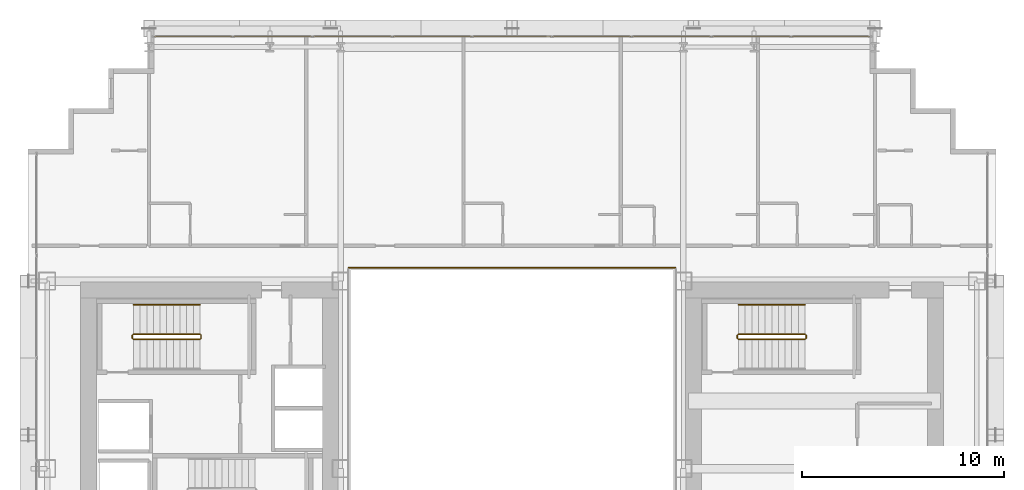
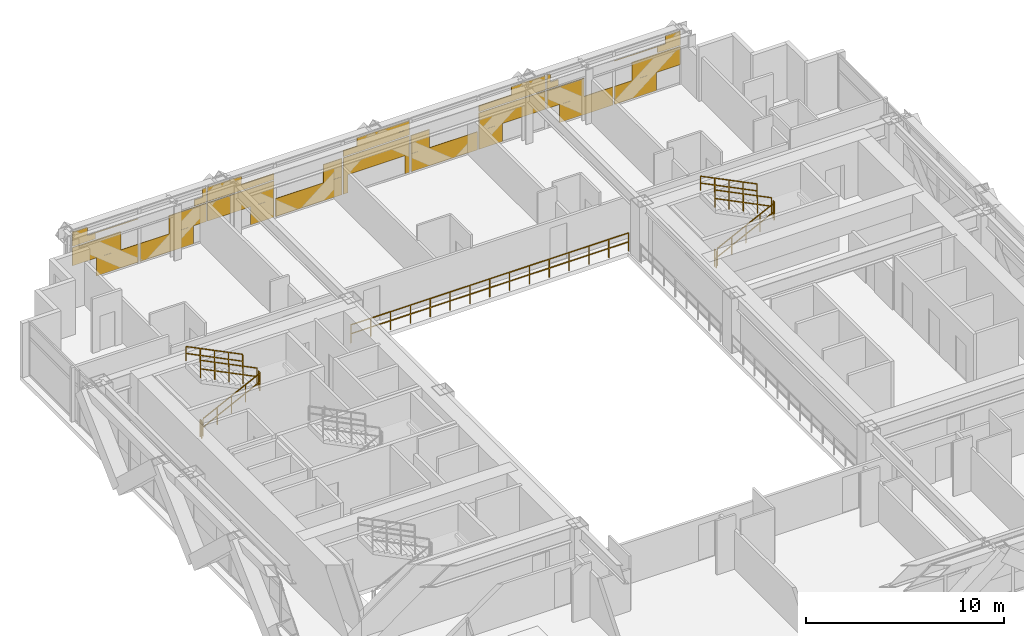
# One storey, part 38 of 38: 11 railings, 1 covering.
"""IFC4 building model written with IfcOpenShell, lengths in metres."""

import ifcopenshell
import ifcopenshell.guid

model = None  # the IFC model being written
_history = None  # IfcOwnerHistory: only IFC2X3 demands one
_inside = {}  # id of a spatial element -> (the spatial element, [elements in it])
_under = {}  # id of a project, library or spatial element -> (it, [spatial elements below it])
_declared = {}  # id of a project -> (the project, [libraries it declares])
_typed = {}  # id of a type object -> (the type object, [elements of that type])
_made_of = {}  # id of a material, layer set ... -> (it, [elements and type objects made of it])


def new_model(schema):
    """Start an empty IFC model of exactly this schema.

    Asked for "IFC4X3", IfcOpenShell would pick the latest addendum, in which some entities
    have other attributes; the version numbers below select the first issue.
    IFC2X3 requires an IfcOwnerHistory on every rooted entity: one is made here for all.
    """
    global model, _history
    if schema == "IFC4X3":
        model = ifcopenshell.file(schema_version=(4, 3, 0, 0))
    else:
        model = ifcopenshell.file(schema=schema)
    _inside.clear()
    _under.clear()
    _declared.clear()
    _typed.clear()
    _made_of.clear()
    _history = None
    if model.schema == "IFC2X3":
        org = make("IfcOrganization", Name="unknown")
        user = make(
            "IfcPersonAndOrganization",
            ThePerson=make("IfcPerson", FamilyName="unknown"),
            TheOrganization=org,
        )
        app = make(
            "IfcApplication",
            ApplicationDeveloper=org,
            Version="unknown",
            ApplicationFullName="unknown",
            ApplicationIdentifier="unknown",
        )
        _history = make(
            "IfcOwnerHistory",
            OwningUser=user,
            OwningApplication=app,
            ChangeAction="ADDED",
            CreationDate=0,
        )
    return model


def make(cls, **values):
    """One entity of the class cls with the attributes given. An attribute that is None is left unset."""
    return model.create_entity(
        cls, **{name: value for name, value in values.items() if value is not None}
    )


def rooted(cls, **values):
    """An entity with a GlobalId (a new one), such as an element, a storey or a relation."""
    return make(cls, GlobalId=ifcopenshell.guid.new(), OwnerHistory=_history, **values)


def si_unit(unit_type, name, prefix=None):
    """IfcSIUnit, for example si_unit("LENGTHUNIT", "METRE", prefix="MILLI")."""
    return make("IfcSIUnit", UnitType=unit_type, Prefix=prefix, Name=name)


def assignment(units):
    """IfcUnitAssignment: the units of a project."""
    return None if units is None else make("IfcUnitAssignment", Units=units)


def point(xyz):
    """IfcCartesianPoint."""
    return None if xyz is None else make("IfcCartesianPoint", Coordinates=xyz)


def direction(xyz):
    """IfcDirection."""
    return None if xyz is None else make("IfcDirection", DirectionRatios=xyz)


def frame(location, z_axis=None, x_axis=None):
    """IfcAxis2Placement3D, a coordinate frame: its origin and axes. An axis left out is left unset."""
    return make(
        "IfcAxis2Placement3D",
        Location=point(location),
        Axis=direction(z_axis),
        RefDirection=direction(x_axis),
    )


def frame_2d(location, x_axis=None):
    """IfcAxis2Placement2D, a coordinate frame in the plane: its origin and x axis."""
    return make(
        "IfcAxis2Placement2D", Location=point(location), RefDirection=direction(x_axis)
    )


def origin():
    """The frame at (0, 0, 0) with its axes left unset."""
    return frame((0.0, 0.0, 0.0))


def origin_2d():
    """The frame at (0, 0) in the plane with its x axis left unset."""
    return frame_2d((0.0, 0.0))


def place(relative_to, where):
    """IfcLocalPlacement: puts the frame where relative to a parent placement (None: the world)."""
    return make(
        "IfcLocalPlacement", PlacementRelTo=relative_to, RelativePlacement=where
    )


def context(
    kind, dimensions, precision=None, world=None, true_north=None, identifier=None
):
    """IfcGeometricRepresentationContext, for example the 3D "Model" context."""
    return make(
        "IfcGeometricRepresentationContext",
        ContextIdentifier=identifier,
        ContextType=kind,
        CoordinateSpaceDimension=dimensions,
        Precision=precision,
        WorldCoordinateSystem=world,
        TrueNorth=true_north,
    )


def subcontext(parent, identifier, kind, view, scale=None):
    """IfcGeometricRepresentationSubContext, for example "Body" below "Model"."""
    return make(
        "IfcGeometricRepresentationSubContext",
        ContextIdentifier=identifier,
        ContextType=kind,
        ParentContext=parent,
        TargetScale=scale,
        TargetView=view,
    )


def project(units=None, contexts=None):
    """IfcProject with its units and contexts."""
    return rooted(
        "IfcProject",
        Name="project",
        RepresentationContexts=contexts,
        UnitsInContext=assignment(units),
    )


def spatial(cls, under=None, at=None, **own):
    """A site, building, storey or space (cls), placed at a placement, below another one or the project."""
    s = rooted(cls, ObjectPlacement=at, **own)
    if under is not None:
        _under.setdefault(under.id(), (under, []))[1].append(s)
    return s


def profile(cls, at=None, kind="AREA", **sizes):
    """A parametric profile (cls). Its sizes go by their IFC names, for example OverallWidth=200.0."""
    return make(cls, ProfileType=kind, Position=at, **sizes)


def rectangle(**sizes):
    """IfcRectangleProfileDef."""
    return profile("IfcRectangleProfileDef", **sizes)


def extrude(swept, where, along, depth):
    """IfcExtrudedAreaSolid: the profile swept, set in the frame where, extruded along a direction by depth."""
    return make(
        "IfcExtrudedAreaSolid",
        SweptArea=swept,
        Position=where,
        ExtrudedDirection=direction(along),
        Depth=depth,
    )


def shape(context_of_items, identifier, shape_type, items):
    """IfcShapeRepresentation: the items that make up one representation, for example the "Body"."""
    return make(
        "IfcShapeRepresentation",
        ContextOfItems=context_of_items,
        RepresentationIdentifier=identifier,
        RepresentationType=shape_type,
        Items=items,
    )


def material(Name=None, Category=None):
    """IfcMaterial."""
    return make("IfcMaterial", Name=Name, Category=Category)


def layer(
    of_material, thickness, ventilated=None, Name=None, Category=None, Priority=None
):
    """IfcMaterialLayer: one layer of a wall or slab, of a material (None: an air gap)."""
    return make(
        "IfcMaterialLayer",
        Material=of_material,
        LayerThickness=thickness,
        IsVentilated=ventilated,
        Name=Name,
        Category=Category,
        Priority=Priority,
    )


def layer_set(layers, Name=None):
    """IfcMaterialLayerSet."""
    return make("IfcMaterialLayerSet", MaterialLayers=layers, LayerSetName=Name)


def made_of(thing, what):
    """Note that an element or type object is made of a material, layer set ...; save() writes the relation."""
    if what is not None:
        _made_of.setdefault(what.id(), (what, []))[1].append(thing)
    return thing


def type_object(cls, material=None, **own):
    """A type object (cls), such as IfcWallType, which elements share."""
    return made_of(rooted(cls, **own), material)


def element(
    cls,
    number,
    at=None,
    inside=None,
    cuts=None,
    type_object=None,
    material=None,
    context=None,
    identifier="Body",
    shape_type=None,
    held_by="IfcProductDefinitionShape",
    body=None,
    shapes=None,
    **own,
):
    """One element of the class cls, such as IfcWall. Its Tag is "e" and its number.

    at: its placement. inside: the storey or other place that contains it. cuts: it is an
    opening in that element (IfcRelVoidsElement). A single representation is given by context,
    identifier, shape_type and body (its items); several are given by shapes. held_by: the class
    of the entity that holds the representations. save() writes the other relations.
    """
    e = rooted(cls, Tag="e%d" % number, ObjectPlacement=at, **own)
    if body is not None:
        shapes = [shape(context, identifier, shape_type, body)]
    if shapes is not None:
        e.Representation = make(held_by, Representations=shapes)
    if inside is not None:
        _inside.setdefault(inside.id(), (inside, []))[1].append(e)
    if cuts is not None:
        rooted(
            "IfcRelVoidsElement", RelatingBuildingElement=cuts, RelatedOpeningElement=e
        )
    if type_object is not None:
        _typed.setdefault(type_object.id(), (type_object, []))[1].append(e)
    return made_of(e, material)


def aggregate(whole, parts):
    """IfcRelAggregates: a whole, such as a stair, and the parts it consists of."""
    return rooted("IfcRelAggregates", RelatingObject=whole, RelatedObjects=parts)


def save(model, path):
    """Write the relations noted so far, then the file.

    IfcRelAggregates (storeys below a building ...), IfcRelContainedInSpatialStructure (elements
    in a storey), IfcRelDefinesByType, IfcRelAssociatesMaterial and IfcRelDeclares: one each for
    every whole, place, type object, material and project.
    """
    for whole, parts in _under.values():
        aggregate(whole, parts)
    for where, things in _inside.values():
        rooted(
            "IfcRelContainedInSpatialStructure",
            RelatedElements=things,
            RelatingStructure=where,
        )
    for kind, things in _typed.values():
        rooted("IfcRelDefinesByType", RelatedObjects=things, RelatingType=kind)
    for what, things in _made_of.values():
        rooted("IfcRelAssociatesMaterial", RelatedObjects=things, RelatingMaterial=what)
    for by, libraries in _declared.values():
        rooted("IfcRelDeclares", RelatingContext=by, RelatedDefinitions=libraries)
    model.write(path)


model = new_model("IFC4")

# Units and contexts
model_context = context("Model", 3, precision=1e-05, world=origin(), true_north=direction((0.0, 1.0)))
body_context = subcontext(model_context, "Body", "Model", "MODEL_VIEW")
ifc_project = project(units=[si_unit("LENGTHUNIT", "METRE"), si_unit("AREAUNIT", "SQUARE_METRE"), si_unit("VOLUMEUNIT", "CUBIC_METRE"), si_unit("PLANEANGLEUNIT", "RADIAN"), si_unit("MASSUNIT", "GRAM", prefix="KILO")], contexts=[model_context])

# Site, building, storey
site_placement = place(None, origin())
site = spatial("IfcSite", under=ifc_project, at=site_placement, CompositionType="ELEMENT")
building_placement = place(site_placement, origin())
building = spatial("IfcBuilding", under=site, at=building_placement, Name="Ocotamira Hotel", CompositionType="ELEMENT")
storey_placement = place(building_placement, frame((0.0, 0.0, 60.0)))
storey = spatial("IfcBuildingStorey", under=building, at=storey_placement, Name="L14", CompositionType="ELEMENT", Elevation=60.0)

# Covering
ifc_material_1 = material(Name="Insulated pale-metal aluminium spandrel panel", Category="aluminium")
ifc_layer = layer(ifc_material_1, 0.044921875)
ifc_layer_set = layer_set([ifc_layer], Name="Insulated pale-metal aluminium spandrel panel")
covering_type = type_object("IfcCoveringType", Name="COV-INFILL-45", PredefinedType="CLADDING", material=ifc_layer_set)
covering_placement = place(storey_placement, origin())
element("IfcCovering", 1, at=covering_placement, inside=storey, type_object=covering_type, Name="L14 Curtain Wall Infill CW-2 CW-L14-N", PredefinedType="CLADDING", context=body_context, shape_type="SweptSolid", body=[
    extrude(rectangle(XDim=2.822265625, YDim=0.044921875, at=origin_2d()), frame((15.691650390625, 49.580078125, 1.1943359375), z_axis=(0.0, 0.0, 1.0), x_axis=(1.0, 0.0, 0.0)), (0.0, 0.0, 1.0), 1.11767578125),
    extrude(rectangle(XDim=2.4521484375, YDim=0.044921875, at=origin_2d()), frame((16.888916015625, 49.580078125, 0.07568359375), z_axis=(0.0, 0.0, 1.0), x_axis=(1.0, 0.0, 0.0)), (0.0, 0.0, 1.0), 1.11767578125),
    extrude(rectangle(XDim=1.330078125, YDim=0.044921875, at=origin_2d()), frame((14.945556640625, 49.580078125, 2.38818359375), z_axis=(0.0, 0.0, 1.0), x_axis=(1.0, 0.0, 0.0)), (0.0, 0.0, 1.0), 0.344482421875),
    extrude(rectangle(XDim=3.834716796875, YDim=0.044921875, at=origin_2d()), frame((16.19775390625, 49.580078125, 2.7333984375), z_axis=(0.0, 0.0, 1.0), x_axis=(1.0, 0.0, 0.0)), (0.0, 0.0, 1.0), 0.0302734375),
    extrude(rectangle(XDim=0.859130859375, YDim=0.044921875, at=origin_2d()), frame((14.7099609375, 49.580078125, 2.7646484375), z_axis=(0.0, 0.0, 1.0), x_axis=(1.0, 0.0, 0.0)), (0.0, 0.0, 1.0), 0.509765625),
    extrude(rectangle(XDim=3.14111328125, YDim=0.044921875, at=origin_2d()), frame((19.7666015625, 49.580078125, 0.07568359375), z_axis=(0.0, 0.0, 1.0), x_axis=(1.0, 0.0, 0.0)), (0.0, 0.0, 1.0), 1.11767578125),
    extrude(rectangle(XDim=2.17333984375, YDim=0.044921875, at=origin_2d()), frame((20.98388671875, 49.580078125, 1.1943359375), z_axis=(0.0, 0.0, 1.0), x_axis=(1.0, 0.0, 0.0)), (0.0, 0.0, 1.0), 1.11767578125),
    extrude(rectangle(XDim=0.68115234375, YDim=0.044921875, at=origin_2d()), frame((21.72998046875, 49.580078125, 2.38818359375), z_axis=(0.0, 0.0, 1.0), x_axis=(1.0, 0.0, 0.0)), (0.0, 0.0, 1.0), 0.375732421875),
    extrude(rectangle(XDim=0.210205078125, YDim=0.044921875, at=origin_2d()), frame((21.965576171875, 49.580078125, 2.7646484375), z_axis=(0.0, 0.0, 1.0), x_axis=(1.0, 0.0, 0.0)), (0.0, 0.0, 1.0), 0.509765625),
    extrude(rectangle(XDim=3.87451171875, YDim=0.044921875, at=origin_2d()), frame((24.0888671875, 49.580078125, 1.1943359375), z_axis=(0.0, 0.0, 1.0), x_axis=(1.0, 0.0, 0.0)), (0.0, 0.0, 1.0), 1.11767578125),
    extrude(rectangle(XDim=1.36328125, YDim=0.044921875, at=origin_2d()), frame((25.344482421875, 49.580078125, 0.07568359375), z_axis=(0.0, 0.0, 1.0), x_axis=(1.0, 0.0, 0.0)), (0.0, 0.0, 1.0), 1.11767578125),
    extrude(rectangle(XDim=3.87451171875, YDim=0.044921875, at=origin_2d()), frame((24.0888671875, 49.580078125, 2.38818359375), z_axis=(0.0, 0.0, 1.0), x_axis=(1.0, 0.0, 0.0)), (0.0, 0.0, 1.0), 0.375732421875),
    extrude(rectangle(XDim=1.988037109375, YDim=0.044921875, at=origin_2d()), frame((23.1455078125, 49.580078125, 2.7646484375), z_axis=(0.0, 0.0, 1.0), x_axis=(1.0, 0.0, 0.0)), (0.0, 0.0, 1.0), 0.509765625),
    extrude(rectangle(XDim=3.87451171875, YDim=0.044921875, at=origin_2d()), frame((28.04443359375, 49.580078125, 0.07568359375), z_axis=(0.0, 0.0, 1.0), x_axis=(1.0, 0.0, 0.0)), (0.0, 0.0, 1.0), 1.11767578125),
    extrude(rectangle(XDim=1.08447265625, YDim=0.044921875, at=origin_2d()), frame((29.439453125, 49.580078125, 1.1943359375), z_axis=(0.0, 0.0, 1.0), x_axis=(1.0, 0.0, 0.0)), (0.0, 0.0, 1.0), 1.11767578125),
    extrude(rectangle(XDim=0.2744140625, YDim=0.044921875, at=origin_2d()), frame((30.199951171875, 49.580078125, 0.07568359375), z_axis=(0.0, 0.0, 1.0), x_axis=(1.0, 0.0, 0.0)), (0.0, 0.0, 1.0), 1.11767578125),
    extrude(rectangle(XDim=3.87451171875, YDim=0.044921875, at=origin_2d()), frame((32.0, 49.580078125, 1.1943359375), z_axis=(0.0, 0.0, 1.0), x_axis=(1.0, 0.0, 0.0)), (0.0, 0.0, 1.0), 1.11767578125),
    extrude(rectangle(XDim=0.2744140625, YDim=0.044921875, at=origin_2d()), frame((33.800048828125, 49.580078125, 0.07568359375), z_axis=(0.0, 0.0, 1.0), x_axis=(1.0, 0.0, 0.0)), (0.0, 0.0, 1.0), 1.11767578125),
    extrude(rectangle(XDim=3.87451171875, YDim=0.044921875, at=origin_2d()), frame((32.0, 49.580078125, 2.38818359375), z_axis=(0.0, 0.0, 1.0), x_axis=(1.0, 0.0, 0.0)), (0.0, 0.0, 1.0), 0.375732421875),
    extrude(rectangle(XDim=3.076904296875, YDim=0.044921875, at=origin_2d()), frame((32.39892578125, 49.580078125, 2.7646484375), z_axis=(0.0, 0.0, 1.0), x_axis=(1.0, 0.0, 0.0)), (0.0, 0.0, 1.0), 0.509765625),
    extrude(rectangle(XDim=3.87451171875, YDim=0.044921875, at=origin_2d()), frame((35.95556640625, 49.580078125, 0.07568359375), z_axis=(0.0, 0.0, 1.0), x_axis=(1.0, 0.0, 0.0)), (0.0, 0.0, 1.0), 1.11767578125),
    extrude(rectangle(XDim=1.08447265625, YDim=0.044921875, at=origin_2d()), frame((34.560546875, 49.580078125, 1.1943359375), z_axis=(0.0, 0.0, 1.0), x_axis=(1.0, 0.0, 0.0)), (0.0, 0.0, 1.0), 1.11767578125),
    extrude(rectangle(XDim=1.36328125, YDim=0.044921875, at=origin_2d()), frame((38.655517578125, 49.580078125, 0.07568359375), z_axis=(0.0, 0.0, 1.0), x_axis=(1.0, 0.0, 0.0)), (0.0, 0.0, 1.0), 1.11767578125),
    extrude(rectangle(XDim=3.87451171875, YDim=0.044921875, at=origin_2d()), frame((39.9111328125, 49.580078125, 1.1943359375), z_axis=(0.0, 0.0, 1.0), x_axis=(1.0, 0.0, 0.0)), (0.0, 0.0, 1.0), 1.11767578125),
    extrude(rectangle(XDim=3.87451171875, YDim=0.044921875, at=origin_2d()), frame((39.9111328125, 49.580078125, 2.38818359375), z_axis=(0.0, 0.0, 1.0), x_axis=(1.0, 0.0, 0.0)), (0.0, 0.0, 1.0), 0.375732421875),
    extrude(rectangle(XDim=1.988037109375, YDim=0.044921875, at=origin_2d()), frame((40.8544921875, 49.580078125, 2.7646484375), z_axis=(0.0, 0.0, 1.0), x_axis=(1.0, 0.0, 0.0)), (0.0, 0.0, 1.0), 0.509765625),
    extrude(rectangle(XDim=2.17333984375, YDim=0.044921875, at=origin_2d()), frame((43.01611328125, 49.580078125, 1.1943359375), z_axis=(0.0, 0.0, 1.0), x_axis=(1.0, 0.0, 0.0)), (0.0, 0.0, 1.0), 1.11767578125),
    extrude(rectangle(XDim=3.14111328125, YDim=0.044921875, at=origin_2d()), frame((44.2333984375, 49.580078125, 0.07568359375), z_axis=(0.0, 0.0, 1.0), x_axis=(1.0, 0.0, 0.0)), (0.0, 0.0, 1.0), 1.11767578125),
    extrude(rectangle(XDim=0.68115234375, YDim=0.044921875, at=origin_2d()), frame((42.27001953125, 49.580078125, 2.38818359375), z_axis=(0.0, 0.0, 1.0), x_axis=(1.0, 0.0, 0.0)), (0.0, 0.0, 1.0), 0.375732421875),
    extrude(rectangle(XDim=0.210205078125, YDim=0.044921875, at=origin_2d()), frame((42.034423828125, 49.580078125, 2.7646484375), z_axis=(0.0, 0.0, 1.0), x_axis=(1.0, 0.0, 0.0)), (0.0, 0.0, 1.0), 0.509765625),
    extrude(rectangle(XDim=2.4521484375, YDim=0.044921875, at=origin_2d()), frame((47.111083984375, 49.580078125, 0.07568359375), z_axis=(0.0, 0.0, 1.0), x_axis=(1.0, 0.0, 0.0)), (0.0, 0.0, 1.0), 1.11767578125),
    extrude(rectangle(XDim=2.822265625, YDim=0.044921875, at=origin_2d()), frame((48.308349609375, 49.580078125, 1.1943359375), z_axis=(0.0, 0.0, 1.0), x_axis=(1.0, 0.0, 0.0)), (0.0, 0.0, 1.0), 1.11767578125),
    extrude(rectangle(XDim=3.834716796875, YDim=0.044921875, at=origin_2d()), frame((47.80224609375, 49.580078125, 2.7333984375), z_axis=(0.0, 0.0, 1.0), x_axis=(1.0, 0.0, 0.0)), (0.0, 0.0, 1.0), 0.0302734375),
    extrude(rectangle(XDim=1.330078125, YDim=0.044921875, at=origin_2d()), frame((49.054443359375, 49.580078125, 2.38818359375), z_axis=(0.0, 0.0, 1.0), x_axis=(1.0, 0.0, 0.0)), (0.0, 0.0, 1.0), 0.344482421875),
    extrude(rectangle(XDim=0.859130859375, YDim=0.044921875, at=origin_2d()), frame((49.2900390625, 49.580078125, 2.7646484375), z_axis=(0.0, 0.0, 1.0), x_axis=(1.0, 0.0, 0.0)), (0.0, 0.0, 1.0), 0.509765625),
])

# Railings
ifc_material_2 = material(Name="Painted steel stair guardrail", Category="steel")
railing_type_1 = type_object("IfcRailingType", Name="RL-EDGE-1150", PredefinedType="GUARDRAIL", material=ifc_material_2)
railing_1_placement = place(storey_placement, frame((40.10009765625, 38.1201171875, 0.0)))
element("IfcRailing", 2, at=railing_1_placement, inside=storey, type_object=railing_type_1, Name="L14 Central Atrium Edge Guardrail N", PredefinedType="GUARDRAIL", context=body_context, shape_type="SweptSolid", body=[
    extrude(rectangle(XDim=0.048095703125, YDim=0.048095703125, at=origin_2d()), frame((0.0, 0.0, 1.1259765625), z_axis=(-1.0, 0.0, 0.0), x_axis=(0.0, -1.0, 0.0)), (0.0, 0.0, 1.0), 16.2001953125),
    extrude(rectangle(XDim=0.048095703125, YDim=0.048095703125, at=origin_2d()), frame((0.0, 0.0, 0.574951171875), z_axis=(-1.0, 0.0, 0.0), x_axis=(0.0, -1.0, 0.0)), (0.0, 0.0, 1.0), 16.2001953125),
    extrude(rectangle(XDim=0.0419921875, YDim=0.0419921875, at=origin_2d()), origin(), (0.0, 0.0, 1.0), 1.101806640625),
    extrude(rectangle(XDim=0.0419921875, YDim=0.0419921875, at=origin_2d()), frame((-1.1572265625, 0.0, 0.0)), (0.0, 0.0, 1.0), 1.101806640625),
    extrude(rectangle(XDim=0.0419921875, YDim=0.0419921875, at=origin_2d()), frame((-2.314208984375, 0.0, 0.0)), (0.0, 0.0, 1.0), 1.101806640625),
    extrude(rectangle(XDim=0.0419921875, YDim=0.0419921875, at=origin_2d()), frame((-3.471435546875, 0.0, 0.0)), (0.0, 0.0, 1.0), 1.101806640625),
    extrude(rectangle(XDim=0.0419921875, YDim=0.0419921875, at=origin_2d()), frame((-4.628662109375, 0.0, 0.0)), (0.0, 0.0, 1.0), 1.101806640625),
    extrude(rectangle(XDim=0.0419921875, YDim=0.0419921875, at=origin_2d()), frame((-5.785888671875, 0.0, 0.0)), (0.0, 0.0, 1.0), 1.101806640625),
    extrude(rectangle(XDim=0.0419921875, YDim=0.0419921875, at=origin_2d()), frame((-6.94287109375, 0.0, 0.0)), (0.0, 0.0, 1.0), 1.101806640625),
    extrude(rectangle(XDim=0.0419921875, YDim=0.0419921875, at=origin_2d()), frame((-8.10009765625, 0.0, 0.0)), (0.0, 0.0, 1.0), 1.101806640625),
    extrude(rectangle(XDim=0.0419921875, YDim=0.0419921875, at=origin_2d()), frame((-9.25732421875, 0.0, 0.0)), (0.0, 0.0, 1.0), 1.101806640625),
    extrude(rectangle(XDim=0.0419921875, YDim=0.0419921875, at=origin_2d()), frame((-10.414306640625, 0.0, 0.0)), (0.0, 0.0, 1.0), 1.101806640625),
    extrude(rectangle(XDim=0.0419921875, YDim=0.0419921875, at=origin_2d()), frame((-11.571533203125, 0.0, 0.0)), (0.0, 0.0, 1.0), 1.101806640625),
    extrude(rectangle(XDim=0.0419921875, YDim=0.0419921875, at=origin_2d()), frame((-12.728759765625, 0.0, 0.0)), (0.0, 0.0, 1.0), 1.101806640625),
    extrude(rectangle(XDim=0.0419921875, YDim=0.0419921875, at=origin_2d()), frame((-13.885986328125, 0.0, 0.0)), (0.0, 0.0, 1.0), 1.101806640625),
    extrude(rectangle(XDim=0.0419921875, YDim=0.0419921875, at=origin_2d()), frame((-15.04296875, 0.0, 0.0)), (0.0, 0.0, 1.0), 1.101806640625),
    extrude(rectangle(XDim=0.0419921875, YDim=0.0419921875, at=origin_2d()), frame((-16.2001953125, 0.0, 0.0)), (0.0, 0.0, 1.0), 1.101806640625),
])
ifc_material_3 = material(Name="Brushed stainless steel handrail", Category="steel")
railing_type_2 = type_object("IfcRailingType", Name="RL-HAND-900", PredefinedType="HANDRAIL", material=ifc_material_3)
for number, where, name in (
    (3, (16.530029296875, 36.280029296875, 2.127197265625), "L14 ST-2 stair handrail 2"),
    (4, (46.530029296875, 36.280029296875, 2.127197265625), "L14 ST-4 stair handrail 2"),
):
    element("IfcRailing", number, at=place(storey_placement, frame(where)), inside=storey, type_object=railing_type_2, Name=name, PredefinedType="HANDRAIL", context=body_context, shape_type="SweptSolid", body=[
        extrude(rectangle(XDim=0.048095703125, YDim=0.048095703125, at=origin_2d()), frame((0.0, 0.0, 0.8759765625), z_axis=(-0.895893744519, 0.0, 0.4442683857), x_axis=(0.0, -1.0, 0.0)), (0.0, 0.0, 1.0), 3.68359375),
        extrude(rectangle(XDim=0.048095703125, YDim=0.048095703125, at=origin_2d()), frame((0.0, 0.0, 0.449951171875), z_axis=(-0.895893744519, 0.0, 0.4442683857), x_axis=(0.0, -1.0, 0.0)), (0.0, 0.0, 1.0), 3.68359375),
        extrude(rectangle(XDim=0.0419921875, YDim=0.0419921875, at=origin_2d()), origin(), (0.0, 0.0, 1.0), 0.851806640625),
        extrude(rectangle(XDim=0.0419921875, YDim=0.0419921875, at=origin_2d()), frame((-0.824951171875, 0.0, 0.4091796875)), (0.0, 0.0, 1.0), 0.851806640625),
        extrude(rectangle(XDim=0.0419921875, YDim=0.0419921875, at=origin_2d()), frame((-1.64990234375, 0.0, 0.818359375)), (0.0, 0.0, 1.0), 0.851806640625),
        extrude(rectangle(XDim=0.0419921875, YDim=0.0419921875, at=origin_2d()), frame((-2.47509765625, 0.0, 1.227294921875)), (0.0, 0.0, 1.0), 0.851806640625),
        extrude(rectangle(XDim=0.0419921875, YDim=0.0419921875, at=origin_2d()), frame((-3.300048828125, 0.0, 1.636474609375)), (0.0, 0.0, 1.0), 0.851806640625),
    ])
railing_type_3 = type_object("IfcRailingType", Name="RL-STAIR-1100", PredefinedType="GUARDRAIL", material=ifc_material_2)
railing_2_placement = place(storey_placement, frame((13.22998046875, 34.56005859375, 0.16357421875)))
element("IfcRailing", 5, at=railing_2_placement, inside=storey, type_object=railing_type_3, Name="L14 ST-2 stair guard 1", PredefinedType="GUARDRAIL", context=body_context, shape_type="SweptSolid", body=[
    extrude(rectangle(XDim=0.048095703125, YDim=0.048095703125, at=origin_2d()), frame((0.0, 0.0, 1.076171875), z_axis=(0.895893744519, 0.0, 0.4442683857), x_axis=(0.0, 1.0, 0.0)), (0.0, 0.0, 1.0), 3.68359375),
    extrude(rectangle(XDim=0.048095703125, YDim=0.048095703125, at=origin_2d()), frame((0.0, 0.0, 0.550048828125), z_axis=(0.895893744519, 0.0, 0.4442683857), x_axis=(0.0, 1.0, 0.0)), (0.0, 0.0, 1.0), 3.68359375),
    extrude(rectangle(XDim=0.0419921875, YDim=0.0419921875, at=origin_2d()), origin(), (0.0, 0.0, 1.0), 1.052001953125),
    extrude(rectangle(XDim=0.0419921875, YDim=0.0419921875, at=origin_2d()), frame((0.824951171875, 0.0, 0.4091796875)), (0.0, 0.0, 1.0), 1.052001953125),
    extrude(rectangle(XDim=0.0419921875, YDim=0.0419921875, at=origin_2d()), frame((1.64990234375, 0.0, 0.818359375)), (0.0, 0.0, 1.0), 1.052001953125),
    extrude(rectangle(XDim=0.0419921875, YDim=0.0419921875, at=origin_2d()), frame((2.47509765625, 0.0, 1.227294921875)), (0.0, 0.0, 1.0), 1.052001953125),
    extrude(rectangle(XDim=0.0419921875, YDim=0.0419921875, at=origin_2d()), frame((3.300048828125, 0.0, 1.636474609375)), (0.0, 0.0, 1.0), 1.052001953125),
])
railing_3_placement = place(storey_placement, frame((16.580078125, 34.610107421875, 1.800048828125)))
element("IfcRailing", 6, at=railing_3_placement, inside=storey, type_object=railing_type_3, Name="L14 ST-2 stair guard 2", PredefinedType="GUARDRAIL", context=body_context, shape_type="SweptSolid", body=[
    extrude(rectangle(XDim=0.048095703125, YDim=0.048095703125, at=origin_2d()), frame((0.0, 0.0, 1.076171875), z_axis=(0.0, 1.0, 0.0), x_axis=(-1.0, 0.0, 0.0)), (0.0, 0.0, 1.0), 0.159912109375),
    extrude(rectangle(XDim=0.048095703125, YDim=0.048095703125, at=origin_2d()), frame((0.0, 0.0, 0.550048828125), z_axis=(0.0, 1.0, 0.0), x_axis=(-1.0, 0.0, 0.0)), (0.0, 0.0, 1.0), 0.159912109375),
    extrude(rectangle(XDim=0.0419921875, YDim=0.0419921875, at=origin_2d()), origin(), (0.0, 0.0, 1.0), 1.052001953125),
    extrude(rectangle(XDim=0.0419921875, YDim=0.0419921875, at=origin_2d()), frame((0.0, 0.159912109375, 0.0)), (0.0, 0.0, 1.0), 1.052001953125),
])
railing_4_placement = place(storey_placement, frame((16.530029296875, 34.820068359375, 1.963623046875)))
element("IfcRailing", 7, at=railing_4_placement, inside=storey, type_object=railing_type_3, Name="L14 ST-2 stair guard 3", PredefinedType="GUARDRAIL", context=body_context, shape_type="SweptSolid", body=[
    extrude(rectangle(XDim=0.048095703125, YDim=0.048095703125, at=origin_2d()), frame((0.0, 0.0, 1.076171875), z_axis=(-0.895893744519, 0.0, 0.4442683857), x_axis=(0.0, -1.0, 0.0)), (0.0, 0.0, 1.0), 3.68359375),
    extrude(rectangle(XDim=0.048095703125, YDim=0.048095703125, at=origin_2d()), frame((0.0, 0.0, 0.550048828125), z_axis=(-0.895893744519, 0.0, 0.4442683857), x_axis=(0.0, -1.0, 0.0)), (0.0, 0.0, 1.0), 3.68359375),
    extrude(rectangle(XDim=0.0419921875, YDim=0.0419921875, at=origin_2d()), origin(), (0.0, 0.0, 1.0), 1.052001953125),
    extrude(rectangle(XDim=0.0419921875, YDim=0.0419921875, at=origin_2d()), frame((-0.824951171875, 0.0, 0.4091796875)), (0.0, 0.0, 1.0), 1.052001953125),
    extrude(rectangle(XDim=0.0419921875, YDim=0.0419921875, at=origin_2d()), frame((-1.64990234375, 0.0, 0.818359375)), (0.0, 0.0, 1.0), 1.052001953125),
    extrude(rectangle(XDim=0.0419921875, YDim=0.0419921875, at=origin_2d()), frame((-2.47509765625, 0.0, 1.227294921875)), (0.0, 0.0, 1.0), 1.052001953125),
    extrude(rectangle(XDim=0.0419921875, YDim=0.0419921875, at=origin_2d()), frame((-3.300048828125, 0.0, 1.636474609375)), (0.0, 0.0, 1.0), 1.052001953125),
])
railing_5_placement = place(storey_placement, frame((13.179931640625, 34.610107421875, 0.0)))
element("IfcRailing", 8, at=railing_5_placement, inside=storey, type_object=railing_type_3, Name="L14 ST-2 stair guard 4", PredefinedType="GUARDRAIL", context=body_context, shape_type="SweptSolid", body=[
    extrude(rectangle(XDim=0.048095703125, YDim=0.048095703125, at=origin_2d()), frame((0.0, 0.0, 1.076171875), z_axis=(0.0, 1.0, 0.0), x_axis=(-1.0, 0.0, 0.0)), (0.0, 0.0, 1.0), 0.159912109375),
    extrude(rectangle(XDim=0.048095703125, YDim=0.048095703125, at=origin_2d()), frame((0.0, 0.0, 0.550048828125), z_axis=(0.0, 1.0, 0.0), x_axis=(-1.0, 0.0, 0.0)), (0.0, 0.0, 1.0), 0.159912109375),
    extrude(rectangle(XDim=0.0419921875, YDim=0.0419921875, at=origin_2d()), origin(), (0.0, 0.0, 1.0), 1.052001953125),
    extrude(rectangle(XDim=0.0419921875, YDim=0.0419921875, at=origin_2d()), frame((0.0, 0.159912109375, 0.0)), (0.0, 0.0, 1.0), 1.052001953125),
])
railing_6_placement = place(storey_placement, frame((43.22998046875, 34.56005859375, 0.16357421875)))
element("IfcRailing", 9, at=railing_6_placement, inside=storey, type_object=railing_type_3, Name="L14 ST-4 stair guard 1", PredefinedType="GUARDRAIL", context=body_context, shape_type="SweptSolid", body=[
    extrude(rectangle(XDim=0.048095703125, YDim=0.048095703125, at=origin_2d()), frame((0.0, 0.0, 1.076171875), z_axis=(0.895893744519, 0.0, 0.4442683857), x_axis=(0.0, 1.0, 0.0)), (0.0, 0.0, 1.0), 3.68359375),
    extrude(rectangle(XDim=0.048095703125, YDim=0.048095703125, at=origin_2d()), frame((0.0, 0.0, 0.550048828125), z_axis=(0.895893744519, 0.0, 0.4442683857), x_axis=(0.0, 1.0, 0.0)), (0.0, 0.0, 1.0), 3.68359375),
    extrude(rectangle(XDim=0.0419921875, YDim=0.0419921875, at=origin_2d()), origin(), (0.0, 0.0, 1.0), 1.052001953125),
    extrude(rectangle(XDim=0.0419921875, YDim=0.0419921875, at=origin_2d()), frame((0.824951171875, 0.0, 0.4091796875)), (0.0, 0.0, 1.0), 1.052001953125),
    extrude(rectangle(XDim=0.0419921875, YDim=0.0419921875, at=origin_2d()), frame((1.64990234375, 0.0, 0.818359375)), (0.0, 0.0, 1.0), 1.052001953125),
    extrude(rectangle(XDim=0.0419921875, YDim=0.0419921875, at=origin_2d()), frame((2.47509765625, 0.0, 1.227294921875)), (0.0, 0.0, 1.0), 1.052001953125),
    extrude(rectangle(XDim=0.0419921875, YDim=0.0419921875, at=origin_2d()), frame((3.300048828125, 0.0, 1.636474609375)), (0.0, 0.0, 1.0), 1.052001953125),
])
railing_7_placement = place(storey_placement, frame((46.580078125, 34.610107421875, 1.800048828125)))
element("IfcRailing", 10, at=railing_7_placement, inside=storey, type_object=railing_type_3, Name="L14 ST-4 stair guard 2", PredefinedType="GUARDRAIL", context=body_context, shape_type="SweptSolid", body=[
    extrude(rectangle(XDim=0.048095703125, YDim=0.048095703125, at=origin_2d()), frame((0.0, 0.0, 1.076171875), z_axis=(0.0, 1.0, 0.0), x_axis=(-1.0, 0.0, 0.0)), (0.0, 0.0, 1.0), 0.159912109375),
    extrude(rectangle(XDim=0.048095703125, YDim=0.048095703125, at=origin_2d()), frame((0.0, 0.0, 0.550048828125), z_axis=(0.0, 1.0, 0.0), x_axis=(-1.0, 0.0, 0.0)), (0.0, 0.0, 1.0), 0.159912109375),
    extrude(rectangle(XDim=0.0419921875, YDim=0.0419921875, at=origin_2d()), origin(), (0.0, 0.0, 1.0), 1.052001953125),
    extrude(rectangle(XDim=0.0419921875, YDim=0.0419921875, at=origin_2d()), frame((0.0, 0.159912109375, 0.0)), (0.0, 0.0, 1.0), 1.052001953125),
])
railing_8_placement = place(storey_placement, frame((46.530029296875, 34.820068359375, 1.963623046875)))
element("IfcRailing", 11, at=railing_8_placement, inside=storey, type_object=railing_type_3, Name="L14 ST-4 stair guard 3", PredefinedType="GUARDRAIL", context=body_context, shape_type="SweptSolid", body=[
    extrude(rectangle(XDim=0.048095703125, YDim=0.048095703125, at=origin_2d()), frame((0.0, 0.0, 1.076171875), z_axis=(-0.895893744519, 0.0, 0.4442683857), x_axis=(0.0, -1.0, 0.0)), (0.0, 0.0, 1.0), 3.68359375),
    extrude(rectangle(XDim=0.048095703125, YDim=0.048095703125, at=origin_2d()), frame((0.0, 0.0, 0.550048828125), z_axis=(-0.895893744519, 0.0, 0.4442683857), x_axis=(0.0, -1.0, 0.0)), (0.0, 0.0, 1.0), 3.68359375),
    extrude(rectangle(XDim=0.0419921875, YDim=0.0419921875, at=origin_2d()), origin(), (0.0, 0.0, 1.0), 1.052001953125),
    extrude(rectangle(XDim=0.0419921875, YDim=0.0419921875, at=origin_2d()), frame((-0.824951171875, 0.0, 0.4091796875)), (0.0, 0.0, 1.0), 1.052001953125),
    extrude(rectangle(XDim=0.0419921875, YDim=0.0419921875, at=origin_2d()), frame((-1.64990234375, 0.0, 0.818359375)), (0.0, 0.0, 1.0), 1.052001953125),
    extrude(rectangle(XDim=0.0419921875, YDim=0.0419921875, at=origin_2d()), frame((-2.47509765625, 0.0, 1.227294921875)), (0.0, 0.0, 1.0), 1.052001953125),
    extrude(rectangle(XDim=0.0419921875, YDim=0.0419921875, at=origin_2d()), frame((-3.300048828125, 0.0, 1.636474609375)), (0.0, 0.0, 1.0), 1.052001953125),
])
railing_9_placement = place(storey_placement, frame((43.179931640625, 34.610107421875, 0.0)))
element("IfcRailing", 12, at=railing_9_placement, inside=storey, type_object=railing_type_3, Name="L14 ST-4 stair guard 4", PredefinedType="GUARDRAIL", context=body_context, shape_type="SweptSolid", body=[
    extrude(rectangle(XDim=0.048095703125, YDim=0.048095703125, at=origin_2d()), frame((0.0, 0.0, 1.076171875), z_axis=(0.0, 1.0, 0.0), x_axis=(-1.0, 0.0, 0.0)), (0.0, 0.0, 1.0), 0.159912109375),
    extrude(rectangle(XDim=0.048095703125, YDim=0.048095703125, at=origin_2d()), frame((0.0, 0.0, 0.550048828125), z_axis=(0.0, 1.0, 0.0), x_axis=(-1.0, 0.0, 0.0)), (0.0, 0.0, 1.0), 0.159912109375),
    extrude(rectangle(XDim=0.0419921875, YDim=0.0419921875, at=origin_2d()), origin(), (0.0, 0.0, 1.0), 1.052001953125),
    extrude(rectangle(XDim=0.0419921875, YDim=0.0419921875, at=origin_2d()), frame((0.0, 0.159912109375, 0.0)), (0.0, 0.0, 1.0), 1.052001953125),
])

save(model, "model.ifc")
